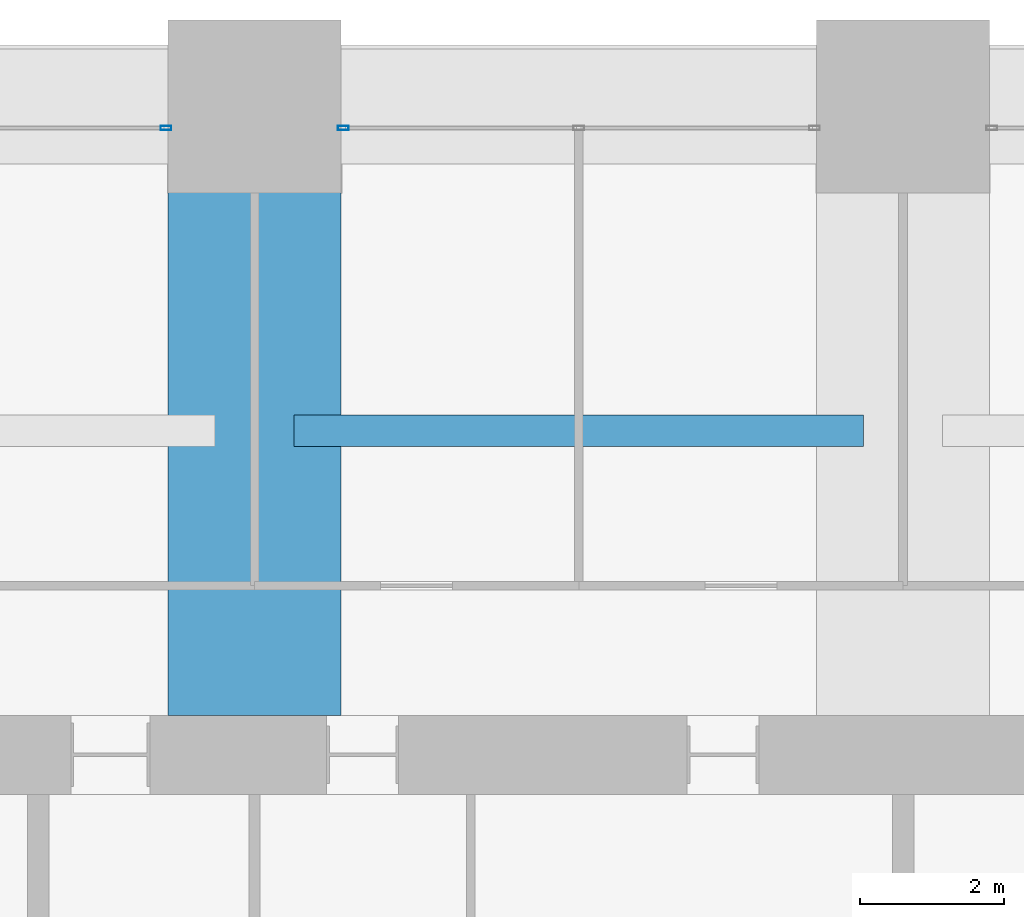
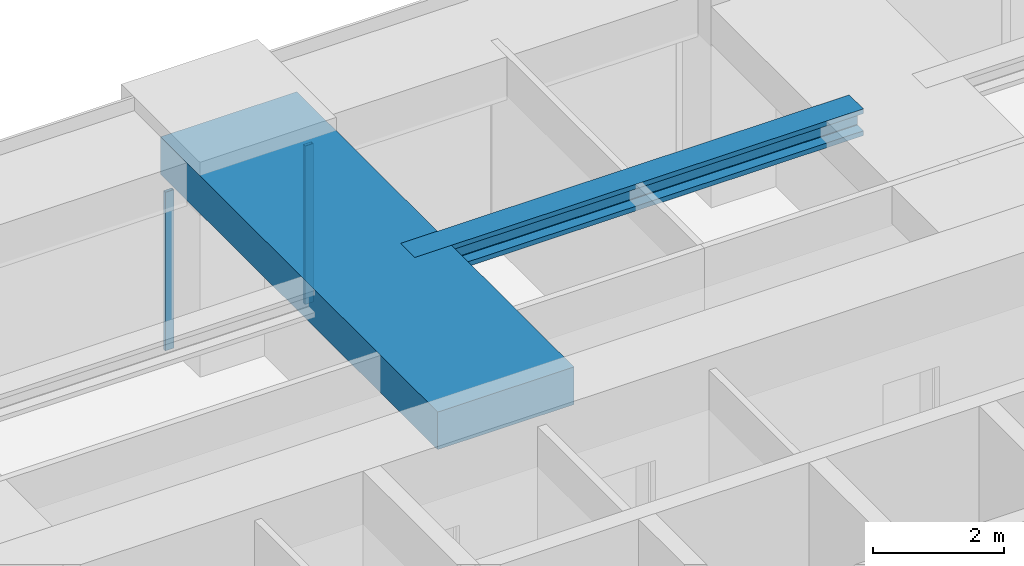
# One storey, part 29 of 43: 2 beams, 2 members, 2 elements without a shape of their own.
"""IFC4 building model written with IfcOpenShell, lengths in metres."""

from ifc_helpers import new_model, si_unit, direction, frame, origin, origin_2d, place, context, subcontext, project, spatial, rectangle, hollow_rectangle, i_section, extrude, material, material_profile, profile_set, type_object, element, aggregate, save


model = new_model("IFC4")

# Units and contexts
model_context = context("Model", 3, precision=1e-05, world=origin(), true_north=direction((0.0, 1.0)))
body_context = subcontext(model_context, "Body", "Model", "MODEL_VIEW")
ifc_project = project(units=[si_unit("LENGTHUNIT", "METRE"), si_unit("AREAUNIT", "SQUARE_METRE"), si_unit("VOLUMEUNIT", "CUBIC_METRE"), si_unit("PLANEANGLEUNIT", "RADIAN"), si_unit("MASSUNIT", "GRAM", prefix="KILO")], contexts=[model_context])

# Site, building, storey
site_placement = place(None, origin())
site = spatial("IfcSite", under=ifc_project, at=site_placement, CompositionType="ELEMENT")
building_placement = place(site_placement, origin())
building = spatial("IfcBuilding", under=site, at=building_placement, Name="Zorevar Civic Tower", CompositionType="ELEMENT")
storey_placement = place(building_placement, frame((0.0, 0.0, 141.0)))
storey = spatial("IfcBuildingStorey", under=building, at=storey_placement, Name="L34", CompositionType="ELEMENT", Elevation=141.0)

# Beam
ifc_material_1 = material(Name="Concrete C50/60", Category="concrete")
ifc_material_profile_1 = material_profile(ifc_material_1, rectangle(XDim=2.39990234375, YDim=0.699951171875, at=origin_2d()), Name="RC 2400x700")
ifc_profile_set_1 = profile_set([ifc_material_profile_1], Name="Concrete C50/60")
beam_type_1 = type_object("IfcBeamType", Name="Beam RC 2400x700", PredefinedType="BEAM", material=ifc_profile_set_1)
beam_1_placement = place(storey_placement, frame((27.0, 36.550048828125, 3.39990234375), z_axis=(0.0, 1.0, 0.0), x_axis=(-1.0, 0.0, 0.0)))
element("IfcBeam", 1, at=beam_1_placement, inside=storey, type_object=beam_type_1, Name="Girder L35", PredefinedType="BEAM", context=body_context, shape_type="SweptSolid", body=[
    extrude(rectangle(XDim=2.39990234375, YDim=0.699951171875, at=origin_2d()), origin(), (0.0, 0.0, 1.0), 8.449951171875),
])

# Curtain wall, member
ifc_material_2 = material(Name="Dark grey solar-control glass in black aluminium frame", Category="aluminium")
curtain_wall_type = type_object("IfcCurtainWallType", Name="Curtain wall CW3 mid zone", PredefinedType="NOTDEFINED", material=ifc_material_2)
curtain_wall_1_placement = place(storey_placement, origin())
curtain_wall_1 = element("IfcCurtainWall", 2, at=curtain_wall_1_placement, inside=storey, type_object=curtain_wall_type, Name="CW3 L34", PredefinedType="NOTDEFINED")
ifc_material_3 = material(Name="Aluminium, black anodised", Category="aluminium")
ifc_material_profile_2 = material_profile(ifc_material_3, hollow_rectangle(XDim=0.06005859375, YDim=0.14990234375, WallThickness=0.00390625, at=origin_2d()), Name="AL 150x60x4")
ifc_profile_set_2 = profile_set([ifc_material_profile_2], Name="Aluminium, black anodised")
member_type = type_object("IfcMemberType", Name="CW3 mullion AL 150x60x4", PredefinedType="MULLION", material=ifc_profile_set_2)
member_1_placement = place(storey_placement, frame((25.77001953125, 44.699951171875, 0.0), z_axis=(0.0, 0.0, 1.0), x_axis=(0.0, 1.0, 0.0)))
member_1 = element("IfcMember", 3, at=member_1_placement, type_object=member_type, Name="CW3 mullion 3", PredefinedType="MULLION", context=body_context, shape_type="SweptSolid", body=[
    extrude(hollow_rectangle(XDim=0.06005859375, YDim=0.14990234375, WallThickness=0.00390625, at=origin_2d()), origin(), (0.0, 0.0, 1.0), 2.949951171875),
])
aggregate(curtain_wall_1, [member_1])

curtain_wall_2_placement = place(storey_placement, origin())
curtain_wall_2 = element("IfcCurtainWall", 4, at=curtain_wall_2_placement, inside=storey, type_object=curtain_wall_type, Name="CW3 L34", PredefinedType="NOTDEFINED")
member_2_placement = place(storey_placement, frame((28.22998046875, 44.699951171875, 0.0), z_axis=(0.0, 0.0, 1.0), x_axis=(0.0, 1.0, 0.0)))
member_2 = element("IfcMember", 5, at=member_2_placement, type_object=member_type, Name="CW3 mullion 1", PredefinedType="MULLION", context=body_context, shape_type="SweptSolid", body=[
    extrude(hollow_rectangle(XDim=0.06005859375, YDim=0.14990234375, WallThickness=0.00390625, at=origin_2d()), origin(), (0.0, 0.0, 1.0), 2.949951171875),
])
aggregate(curtain_wall_2, [member_2])

# Beam
ifc_material_4 = material(Name="Steel S460M (HISTAR 460)", Category="steel")
ifc_material_profile_3 = material_profile(ifc_material_4, i_section(OverallWidth=0.431884765625, OverallDepth=0.498046875, WebThickness=0.0556640625, FlangeThickness=0.0888671875, FilletRadius=0.014892578125, at=origin_2d()), Name="HD 400x744")
ifc_profile_set_3 = profile_set([ifc_material_profile_3], Name="Steel S460M (HISTAR 460)")
beam_type_2 = type_object("IfcBeamType", Name="Core bay beam HD 400x744", PredefinedType="BEAM", material=ifc_profile_set_3)
beam_2_placement = place(storey_placement, frame((27.550048828125, 40.5, 3.5009765625), z_axis=(1.0, 0.0, 0.0), x_axis=(0.0, 1.0, 0.0)))
element("IfcBeam", 6, at=beam_2_placement, inside=storey, type_object=beam_type_2, Name="Secondary beam L35", PredefinedType="BEAM", context=body_context, shape_type="SweptSolid", body=[
    extrude(i_section(OverallWidth=0.431884765625, OverallDepth=0.498046875, WebThickness=0.0556640625, FlangeThickness=0.0888671875, FilletRadius=0.014892578125, at=origin_2d()), origin(), (0.0, 0.0, 1.0), 7.89990234375),
])

save(model, "model.ifc")
